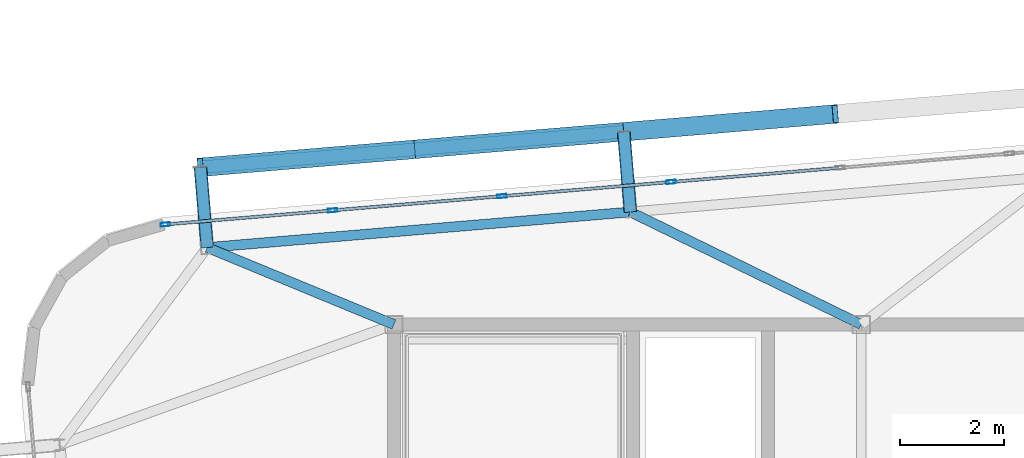
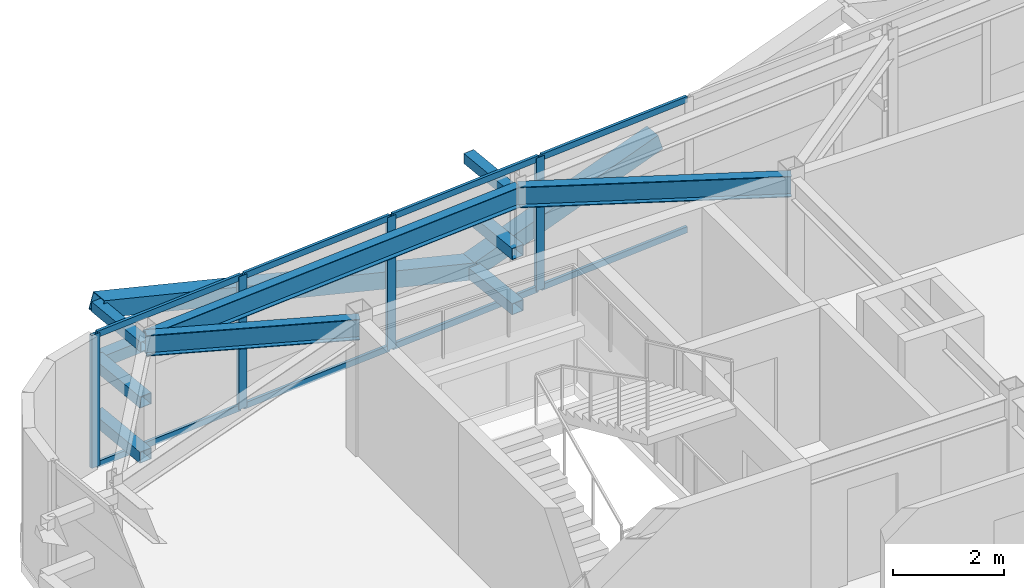
# One storey, part 27 of 46: 22 members, 3 beams, 1 element without a shape of its own.
"""IFC4 building model written with IfcOpenShell, lengths in metres."""

from ifc_helpers import new_model, si_unit, direction, frame, origin, origin_2d, place, context, subcontext, project, spatial, hollow_rectangle, i_section, extrude, source, transform, mapped, material, layer, layer_set, material_profile, profile_set, type_object, element, aggregate, save


model = new_model("IFC4")

# Units and contexts
model_context = context("Model", 3, precision=1e-05, world=origin(), true_north=direction((0.0, 1.0)))
body_context = subcontext(model_context, "Body", "Model", "MODEL_VIEW")
ifc_project = project(units=[si_unit("LENGTHUNIT", "METRE"), si_unit("AREAUNIT", "SQUARE_METRE"), si_unit("VOLUMEUNIT", "CUBIC_METRE"), si_unit("PLANEANGLEUNIT", "RADIAN"), si_unit("MASSUNIT", "GRAM", prefix="KILO")], contexts=[model_context])

# Site, building, storey
site_placement = place(None, origin())
site = spatial("IfcSite", under=ifc_project, at=site_placement, CompositionType="ELEMENT")
building_placement = place(site_placement, origin())
building = spatial("IfcBuilding", under=site, at=building_placement, Name="Taldren Reach Tower", CompositionType="ELEMENT")
storey_placement = place(building_placement, frame((0.0, 0.0, 188.300048828125)))
storey = spatial("IfcBuildingStorey", under=building, at=storey_placement, Name="L57", CompositionType="ELEMENT", Elevation=188.300048828125)

# Members
ifc_material_1 = material(Name="Steel Gr 350 (C350L0)", Category="steel")
ifc_material_profile_1 = material_profile(ifc_material_1, hollow_rectangle(XDim=0.25, YDim=0.25, WallThickness=0.010009765625, at=origin_2d()), Name="250x250x10.0SHS")
ifc_profile_set_1 = profile_set([ifc_material_profile_1], Name="Steel Gr 350 (C350L0)")
member_type_1 = type_object("IfcMemberType", Name="MB-POST250", PredefinedType="POST", material=ifc_profile_set_1)
shared_shape_1 = source(origin(), body_context, "Body", "SweptSolid", [
    extrude(hollow_rectangle(XDim=0.25, YDim=0.25, WallThickness=0.010009765625, at=origin_2d()), origin(), (0.0, 0.0, 1.0), 1.5498046875),
])
for number, where, z_axis, x_axis, name in (
    (1, (15.40380859375, 33.483642578125, 0.219970703125), (-0.083645141657, 0.996495604746, 0.0), (-0.996495604746, -0.083645141657, 0.0), "Exoskeleton base diaphragm tie strut B4-N1 L57"),
    (2, (15.40380859375, 33.483642578125, 1.43505859375), (-0.083645141657, 0.996495604746, 0.0), (-0.996495604746, -0.083645141657, 0.0), "Exoskeleton mid-tier diaphragm tie B4-N1 L57"),
):
    element("IfcMember", number, at=place(storey_placement, frame(where, z_axis=z_axis, x_axis=x_axis)), inside=storey, type_object=member_type_1, Name=name, PredefinedType="POST", context=body_context, shape_type="MappedRepresentation", body=[
        mapped(shared_shape_1, transform((0.0, 0.0, 0.0), scale=1.0)),
    ])
shared_shape_2 = source(origin(), body_context, "Body", "SweptSolid", [
    extrude(hollow_rectangle(XDim=0.25, YDim=0.25, WallThickness=0.010009765625, at=origin_2d()), origin(), (0.0, 0.0, 1.0), 1.550048828125),
])
for number, where, z_axis, x_axis, name in (
    (3, (23.55517578125, 34.16796875, 0.219970703125), (-0.083788408178, 0.996483568683, 0.0), (-0.996483568683, -0.083788408178, 0.0), "Exoskeleton base diaphragm tie strut B4-N2 L57"),
    (4, (23.55517578125, 34.16796875, 1.43505859375), (-0.083788408178, 0.996483568683, 0.0), (-0.996483568683, -0.083788408178, 0.0), "Exoskeleton mid-tier diaphragm tie B4-N2 L57"),
):
    element("IfcMember", number, at=place(storey_placement, frame(where, z_axis=z_axis, x_axis=x_axis)), inside=storey, type_object=member_type_1, Name=name, PredefinedType="POST", context=body_context, shape_type="MappedRepresentation", body=[
        mapped(shared_shape_2, transform((0.0, 0.0, 0.0), scale=1.0)),
    ])

# Beams
ifc_material_2 = material(Name="Steel Gr 350 (350PLUS)", Category="steel")
ifc_material_profile_2 = material_profile(ifc_material_2, i_section(OverallWidth=0.18994140625, OverallDepth=0.4541015625, WebThickness=0.008544921875, FlangeThickness=0.0126953125, at=origin_2d()), Name="460UB67.1")
ifc_profile_set_2 = profile_set([ifc_material_profile_2], Name="Steel Gr 350 (350PLUS)")
beam_type_1 = type_object("IfcBeamType", Name="SP-UB460B", PredefinedType="SPANDREL", material=ifc_profile_set_2)
shared_shape_3 = source(origin(), body_context, "Body", "SweptSolid", [
    extrude(i_section(OverallWidth=0.18994140625, OverallDepth=0.4541015625, WebThickness=0.008544921875, FlangeThickness=0.0126953125, at=origin_2d()), origin(), (0.0, 0.0, 1.0), 8.179931640625),
])
beam_1_placement = place(storey_placement, frame((23.55517578125, 34.16796875, 2.702880859375), z_axis=(-0.996494523218, -0.083658025296, 0.0), x_axis=(0.083658025296, -0.996494523218, 0.0)))
element("IfcBeam", 5, at=beam_1_placement, inside=storey, type_object=beam_type_1, Name="Perimeter spandrel B4 N2-N1 L57", PredefinedType="SPANDREL", context=body_context, shape_type="MappedRepresentation", body=[
    mapped(shared_shape_3, transform((0.0, 0.0, 0.0), scale=1.0)),
])
ifc_material_profile_3 = material_profile(ifc_material_2, i_section(OverallWidth=0.19091796875, OverallDepth=0.4599609375, WebThickness=0.010009765625, FlangeThickness=0.01611328125, at=origin_2d()), Name="460UB82.1")
ifc_profile_set_3 = profile_set([ifc_material_profile_3], Name="Steel Gr 350 (350PLUS)")
beam_type_2 = type_object("IfcBeamType", Name="BM-UB460A", PredefinedType="BEAM", material=ifc_profile_set_3)
shared_shape_4 = source(origin(), body_context, "Body", "SweptSolid", [
    extrude(i_section(OverallWidth=0.19091796875, OverallDepth=0.4599609375, WebThickness=0.010009765625, FlangeThickness=0.01611328125, at=origin_2d()), origin(), (0.0, 0.0, 1.0), 4.9453125),
])
beam_2_placement = place(storey_placement, frame((28.0, 32.0, 2.699951171875), z_axis=(-0.898787423235, 0.438384725823, 0.0), x_axis=(-0.438384725823, -0.898787423235, 0.0)))
element("IfcBeam", 6, at=beam_2_placement, inside=storey, type_object=beam_type_2, Name="Primary floor girder B4-N2 L57", PredefinedType="BEAM", context=body_context, shape_type="MappedRepresentation", body=[
    mapped(shared_shape_4, transform((0.0, 0.0, 0.0), scale=1.0)),
])
shared_shape_5 = source(origin(), body_context, "Body", "SweptSolid", [
    extrude(i_section(OverallWidth=0.19091796875, OverallDepth=0.4599609375, WebThickness=0.010009765625, FlangeThickness=0.01611328125, at=origin_2d()), origin(), (0.0, 0.0, 1.0), 3.89013671875),
])
beam_3_placement = place(storey_placement, frame((19.0, 32.0, 2.699951171875), z_axis=(-0.924419242179, 0.381377850287, 0.0), x_axis=(-0.381377850287, -0.924419242179, 0.0)))
element("IfcBeam", 7, at=beam_3_placement, inside=storey, type_object=beam_type_2, Name="Primary floor girder B4-N1 L57", PredefinedType="BEAM", context=body_context, shape_type="MappedRepresentation", body=[
    mapped(shared_shape_5, transform((0.0, 0.0, 0.0), scale=1.0)),
])

# Members
ifc_material_3 = material(Name="Steel Gr 450 (C450L0)", Category="steel")
ifc_material_profile_4 = material_profile(ifc_material_3, hollow_rectangle(XDim=0.219970703125, YDim=0.219970703125, WallThickness=0.00830078125, at=origin_2d()), Name="220x220x8.2SHS")
ifc_profile_set_4 = profile_set([ifc_material_profile_4], Name="Steel Gr 450 (C450L0)")
member_type_2 = type_object("IfcMemberType", Name="MB-TIE219", PredefinedType="STRUT", material=ifc_profile_set_4)
shared_shape_6 = source(origin(), body_context, "Body", "SweptSolid", [
    extrude(hollow_rectangle(XDim=0.219970703125, YDim=0.219970703125, WallThickness=0.00830078125, at=origin_2d()), origin(), (0.0, 0.0, 1.0), 1.5498046875),
])
member_1_placement = place(storey_placement, frame((15.40380859375, 33.483642578125, 2.64990234375), z_axis=(-0.083645141657, 0.996495604746, 0.0), x_axis=(-0.996495604746, -0.083645141657, 0.0)))
element("IfcMember", 8, at=member_1_placement, inside=storey, type_object=member_type_2, Name="Exoskeleton diaphragm tie strut B4-N1 L57", PredefinedType="STRUT", context=body_context, shape_type="MappedRepresentation", body=[
    mapped(shared_shape_6, transform((0.0, 0.0, 0.0), scale=1.0)),
])
shared_shape_7 = source(origin(), body_context, "Body", "SweptSolid", [
    extrude(hollow_rectangle(XDim=0.219970703125, YDim=0.219970703125, WallThickness=0.00830078125, at=origin_2d()), origin(), (0.0, 0.0, 1.0), 1.550048828125),
])
member_2_placement = place(storey_placement, frame((23.55517578125, 34.16796875, 2.64990234375), z_axis=(-0.083788408178, 0.996483568683, 0.0), x_axis=(-0.996483568683, -0.083788408178, 0.0)))
element("IfcMember", 9, at=member_2_placement, inside=storey, type_object=member_type_2, Name="Exoskeleton diaphragm tie strut B4-N2 L57", PredefinedType="STRUT", context=body_context, shape_type="MappedRepresentation", body=[
    mapped(shared_shape_7, transform((0.0, 0.0, 0.0), scale=1.0)),
])
shared_shape_8 = source(origin(), body_context, "Body", "SweptSolid", [
    extrude(hollow_rectangle(XDim=0.25, YDim=0.25, WallThickness=0.010009765625, at=origin_2d()), origin(), (0.0, 0.0, 1.0), 8.179931640625),
])
member_3_placement = place(storey_placement, frame((15.274169921875, 35.028076171875, 1.43505859375), z_axis=(0.99649182565, 0.08369015123, 0.0), x_axis=(-0.08369015123, 0.99649182565, 0.0)))
element("IfcMember", 10, at=member_3_placement, inside=storey, type_object=member_type_1, Name="Exoskeleton mid-height ring chord B4-N1 L57", PredefinedType="POST", context=body_context, shape_type="MappedRepresentation", body=[
    mapped(shared_shape_8, transform((0.0, 0.0, 0.0), scale=1.0)),
])
ifc_material_profile_5 = material_profile(ifc_material_3, hollow_rectangle(XDim=0.360107421875, YDim=0.360107421875, WallThickness=0.0126953125, at=origin_2d()), Name="360x360x12.7SHS")
ifc_profile_set_5 = profile_set([ifc_material_profile_5], Name="Steel Gr 450 (C450L0)")
member_type_3 = type_object("IfcMemberType", Name="MB-EXO356", PredefinedType="BRACE", material=ifc_profile_set_5)
shared_shape_9 = source(origin(), body_context, "Body", "SweptSolid", [
    extrude(hollow_rectangle(XDim=0.360107421875, YDim=0.360107421875, WallThickness=0.0126953125, at=origin_2d()), origin(), (0.0, 0.0, 1.0), 4.2666015625),
])
for number, where, z_axis, x_axis, name in (
    (11, (19.349853515625, 35.370361328125, 1.43505859375), (-0.955244723646, -0.080223619417, 0.284730906006), (0.083687662192, -0.996492034688, 0.0), "Exoskeleton Diagrid Brace B4-N1 L57"),
    (12, (23.42529296875, 35.712646484375, 0.219970703125), (0.955229159097, 0.080222312271, 0.284783486572), (-0.083687662192, 0.996492034688, 0.0), "Exoskeleton Diagrid Brace B4-N2 L57"),
):
    element("IfcMember", number, at=place(storey_placement, frame(where, z_axis=z_axis, x_axis=x_axis)), inside=storey, type_object=member_type_3, Name=name, PredefinedType="BRACE", context=body_context, shape_type="MappedRepresentation", body=[
        mapped(shared_shape_9, transform((0.0, 0.0, 0.0), scale=1.0)),
    ])
shared_shape_10 = source(origin(), body_context, "Body", "SweptSolid", [
    extrude(hollow_rectangle(XDim=0.360107421875, YDim=0.360107421875, WallThickness=0.0126953125, at=origin_2d()), origin(), (0.0, 0.0, 1.0), 4.266357421875),
])
member_4_placement = place(storey_placement, frame((23.42529296875, 35.712646484375, 0.219970703125), z_axis=(-0.955224149813, -0.080226697301, 0.284799053113), x_axis=(0.083692640416, -0.996491616593, 0.0)))
element("IfcMember", 13, at=member_4_placement, inside=storey, type_object=member_type_3, Name="Exoskeleton Diagrid Brace B4-N1 L57", PredefinedType="BRACE", context=body_context, shape_type="MappedRepresentation", body=[
    mapped(shared_shape_10, transform((0.0, 0.0, 0.0), scale=1.0)),
])

# Curtain wall, members
ifc_material_4 = material(Name="Aluminium and Low-E Glass Unitised System", Category="aluminium")
ifc_layer = layer(ifc_material_4, 0.159912109375)
ifc_layer_set = layer_set([ifc_layer], Name="Aluminium and Low-E Glass Unitised System")
curtain_wall_type = type_object("IfcCurtainWallType", Name="CW-SYS-5", PredefinedType="NOTDEFINED", material=ifc_layer_set)
curtain_wall_placement = place(storey_placement, origin())
curtain_wall = element("IfcCurtainWall", 14, at=curtain_wall_placement, inside=storey, type_object=curtain_wall_type, Name="Unitised curtain wall CW-L57-N", PredefinedType="NOTDEFINED")
ifc_material_5 = material(Name="Anodised Aluminium 6063-T6", Category="aluminium")
ifc_material_profile_6 = material_profile(ifc_material_5, hollow_rectangle(XDim=0.070068359375, YDim=0.179931640625, WallThickness=0.00390625, at=origin_2d()), Name="ALU-180x70x4RHS")
ifc_profile_set_6 = profile_set([ifc_material_profile_6], Name="Anodised Aluminium 6063-T6")
member_type_4 = type_object("IfcMemberType", Name="CW-MUL-180", PredefinedType="MULLION", material=ifc_profile_set_6)
shared_shape_11 = source(origin(), body_context, "Body", "SweptSolid", [
    extrude(hollow_rectangle(XDim=0.070068359375, YDim=0.179931640625, WallThickness=0.00390625, at=origin_2d()), origin(), (0.0, 0.0, 1.0), 2.929931640625),
])
member_5_placement = place(storey_placement, frame((24.337158203125, 34.74560546875, 0.0), z_axis=(0.0, 0.0, 1.0), x_axis=(0.083677875247, -0.99649285657, 0.0)))
member_5 = element("IfcMember", 15, at=member_5_placement, type_object=member_type_4, Name="CW-5 mullion 11", PredefinedType="MULLION", context=body_context, shape_type="MappedRepresentation", body=[
    mapped(shared_shape_11, transform((0.0, 0.0, 0.0), scale=1.0)),
])
member_6_placement = place(storey_placement, frame((21.079345703125, 34.471923828125, 0.0), z_axis=(0.0, 0.0, 1.0), x_axis=(0.083677875247, -0.99649285657, 0.0)))
member_6 = element("IfcMember", 16, at=member_6_placement, type_object=member_type_4, Name="CW-5 mullion 12", PredefinedType="MULLION", context=body_context, shape_type="MappedRepresentation", body=[
    mapped(shared_shape_11, transform((0.0, 0.0, 0.0), scale=1.0)),
])
member_7_placement = place(storey_placement, frame((17.82177734375, 34.198486328125, 0.0), z_axis=(0.0, 0.0, 1.0), x_axis=(0.083677875247, -0.99649285657, 0.0)))
member_7 = element("IfcMember", 17, at=member_7_placement, type_object=member_type_4, Name="CW-5 mullion 13", PredefinedType="MULLION", context=body_context, shape_type="MappedRepresentation", body=[
    mapped(shared_shape_11, transform((0.0, 0.0, 0.0), scale=1.0)),
])
member_8_placement = place(storey_placement, frame((14.598876953125, 33.927734375, 0.0), z_axis=(0.0, 0.0, 1.0), x_axis=(0.083677875247, -0.99649285657, 0.0)))
member_8 = element("IfcMember", 18, at=member_8_placement, type_object=member_type_4, Name="CW-5 mullion 14", PredefinedType="MULLION", context=body_context, shape_type="MappedRepresentation", body=[
    mapped(shared_shape_11, transform((0.0, 0.0, 0.0), scale=1.0)),
])
ifc_material_profile_7 = material_profile(ifc_material_5, hollow_rectangle(XDim=0.06005859375, YDim=0.135009765625, WallThickness=0.00341796875, at=origin_2d()), Name="ALU-135x60x3.5RHS")
ifc_profile_set_7 = profile_set([ifc_material_profile_7], Name="Anodised Aluminium 6063-T6")
member_type_5 = type_object("IfcMemberType", Name="CW-TRN-150", PredefinedType="USERDEFINED", material=ifc_profile_set_7)
shared_shape_12 = source(origin(), body_context, "Body", "SweptSolid", [
    extrude(hollow_rectangle(XDim=0.06005859375, YDim=0.135009765625, WallThickness=0.00341796875, at=origin_2d()), origin(), (0.0, 0.0, 1.0), 3.1640625),
])
member_9_placement = place(storey_placement, frame((17.786865234375, 34.195556640625, 0.030029296875), z_axis=(-0.996489659996, -0.083715933496, 0.0), x_axis=(0.083715933496, -0.996489659996, 0.0)))
member_9 = element("IfcMember", 19, at=member_9_placement, type_object=member_type_5, Name="CW-5 transom 13.1", ObjectType="TRANSOM", PredefinedType="USERDEFINED", context=body_context, shape_type="MappedRepresentation", body=[
    mapped(shared_shape_12, transform((0.0, 0.0, 0.0), scale=1.0)),
])
member_10_placement = place(storey_placement, frame((17.786865234375, 34.195556640625, 2.89990234375), z_axis=(-0.996489659996, -0.083715933496, 0.0), x_axis=(0.083715933496, -0.996489659996, 0.0)))
member_10 = element("IfcMember", 20, at=member_10_placement, type_object=member_type_5, Name="CW-5 transom 13.2", ObjectType="TRANSOM", PredefinedType="USERDEFINED", context=body_context, shape_type="MappedRepresentation", body=[
    mapped(shared_shape_12, transform((0.0, 0.0, 0.0), scale=1.0)),
])
shared_shape_13 = source(origin(), body_context, "Body", "SweptSolid", [
    extrude(hollow_rectangle(XDim=0.06005859375, YDim=0.135009765625, WallThickness=0.00341796875, at=origin_2d()), origin(), (0.0, 0.0, 1.0), 3.19921875),
])
member_11_placement = place(storey_placement, frame((27.56005859375, 35.01611328125, 0.030029296875), z_axis=(-0.996496109493, -0.083639128198, 0.0), x_axis=(0.083639128198, -0.996496109493, 0.0)))
member_11 = element("IfcMember", 21, at=member_11_placement, type_object=member_type_5, Name="CW-5 transom 10.1", ObjectType="TRANSOM", PredefinedType="USERDEFINED", context=body_context, shape_type="MappedRepresentation", body=[
    mapped(shared_shape_13, transform((0.0, 0.0, 0.0), scale=1.0)),
])
member_12_placement = place(storey_placement, frame((27.56005859375, 35.01611328125, 2.89990234375), z_axis=(-0.996496109493, -0.083639128198, 0.0), x_axis=(0.083639128198, -0.996496109493, 0.0)))
member_12 = element("IfcMember", 22, at=member_12_placement, type_object=member_type_5, Name="CW-5 transom 10.2", ObjectType="TRANSOM", PredefinedType="USERDEFINED", context=body_context, shape_type="MappedRepresentation", body=[
    mapped(shared_shape_13, transform((0.0, 0.0, 0.0), scale=1.0)),
])
member_13_placement = place(storey_placement, frame((24.30224609375, 34.74267578125, 0.030029296875), z_axis=(-0.996489746258, -0.083714906697, 0.0), x_axis=(0.083714906697, -0.996489746258, 0.0)))
member_13 = element("IfcMember", 23, at=member_13_placement, type_object=member_type_5, Name="CW-5 transom 11.1", ObjectType="TRANSOM", PredefinedType="USERDEFINED", context=body_context, shape_type="MappedRepresentation", body=[
    mapped(shared_shape_13, transform((0.0, 0.0, 0.0), scale=1.0)),
])
member_14_placement = place(storey_placement, frame((24.30224609375, 34.74267578125, 2.89990234375), z_axis=(-0.996489746258, -0.083714906697, 0.0), x_axis=(0.083714906697, -0.996489746258, 0.0)))
member_14 = element("IfcMember", 24, at=member_14_placement, type_object=member_type_5, Name="CW-5 transom 11.2", ObjectType="TRANSOM", PredefinedType="USERDEFINED", context=body_context, shape_type="MappedRepresentation", body=[
    mapped(shared_shape_13, transform((0.0, 0.0, 0.0), scale=1.0)),
])
shared_shape_14 = source(origin(), body_context, "Body", "SweptSolid", [
    extrude(hollow_rectangle(XDim=0.06005859375, YDim=0.135009765625, WallThickness=0.00341796875, at=origin_2d()), origin(), (0.0, 0.0, 1.0), 3.199462890625),
])
member_15_placement = place(storey_placement, frame((21.044677734375, 34.468994140625, 0.030029296875), z_axis=(-0.99649664328, -0.083632768285, 0.0), x_axis=(0.083632768285, -0.99649664328, 0.0)))
member_15 = element("IfcMember", 25, at=member_15_placement, type_object=member_type_5, Name="CW-5 transom 12.1", ObjectType="TRANSOM", PredefinedType="USERDEFINED", context=body_context, shape_type="MappedRepresentation", body=[
    mapped(shared_shape_14, transform((0.0, 0.0, 0.0), scale=1.0)),
])
member_16_placement = place(storey_placement, frame((21.044677734375, 34.468994140625, 2.89990234375), z_axis=(-0.99649664328, -0.083632768285, 0.0), x_axis=(0.083632768285, -0.99649664328, 0.0)))
member_16 = element("IfcMember", 26, at=member_16_placement, type_object=member_type_5, Name="CW-5 transom 12.2", ObjectType="TRANSOM", PredefinedType="USERDEFINED", context=body_context, shape_type="MappedRepresentation", body=[
    mapped(shared_shape_14, transform((0.0, 0.0, 0.0), scale=1.0)),
])
aggregate(curtain_wall, [member_5, member_6, member_7, member_8, member_11, member_12, member_13, member_14, member_15, member_16, member_9, member_10])

save(model, "model.ifc")
